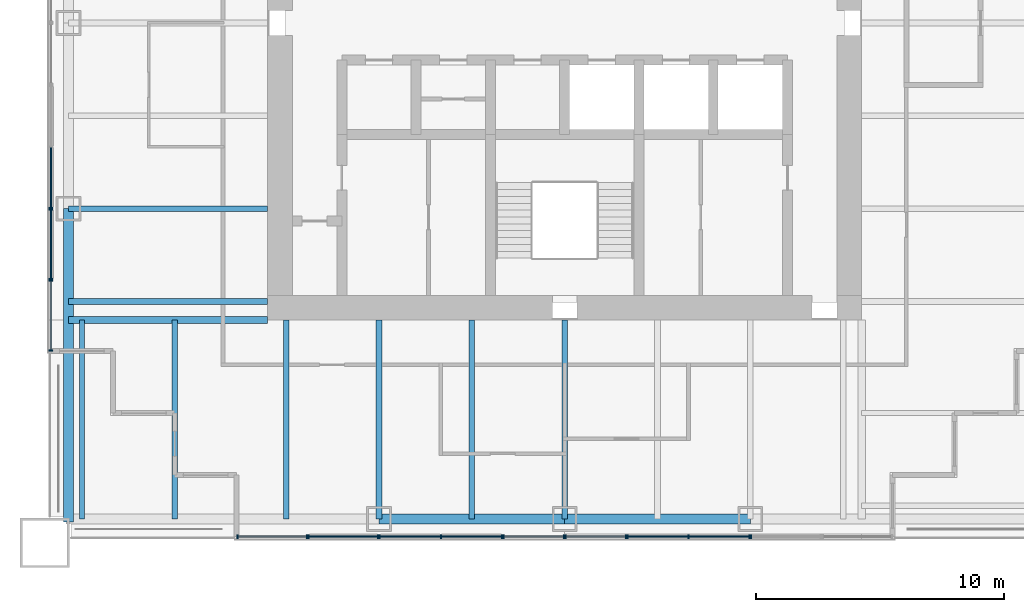
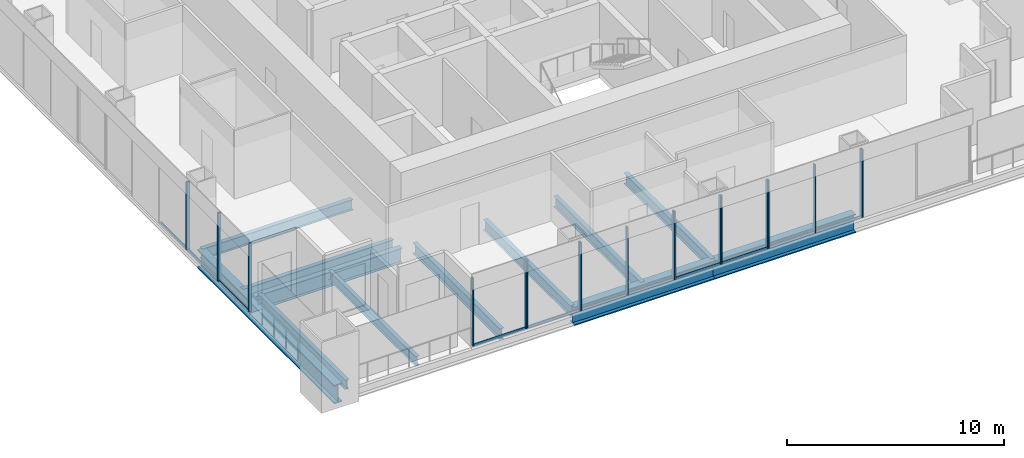
# One storey, part 2 of 14: 31 members, 12 beams, 10 elements without a shape of their own.
"""IFC4 building model written with IfcOpenShell, lengths in metres."""

from ifc_helpers import new_model, si_unit, direction, frame, origin, origin_2d, place, context, subcontext, project, spatial, rectangle, i_section, extrude, material, material_profile, profile_set, type_object, element, aggregate, save


model = new_model("IFC4")

# Units and contexts
model_context = context("Model", 3, precision=1e-05, world=origin(), true_north=direction((0.0, 1.0)))
body_context = subcontext(model_context, "Body", "Model", "MODEL_VIEW")
ifc_project = project(units=[si_unit("LENGTHUNIT", "METRE"), si_unit("AREAUNIT", "SQUARE_METRE"), si_unit("VOLUMEUNIT", "CUBIC_METRE"), si_unit("PLANEANGLEUNIT", "RADIAN"), si_unit("MASSUNIT", "GRAM", prefix="KILO")], contexts=[model_context])

# Site, building, storey
site_placement = place(None, origin())
site = spatial("IfcSite", under=ifc_project, at=site_placement, CompositionType="ELEMENT")
building_placement = place(site_placement, origin())
building = spatial("IfcBuilding", under=site, at=building_placement, Name="Tarangal Relay Tower", CompositionType="ELEMENT")
storey_placement = place(building_placement, frame((0.0, 0.0, 271.89990234375)))
storey = spatial("IfcBuildingStorey", under=building, at=storey_placement, Name="L59", CompositionType="ELEMENT", Elevation=271.89990234375)

# Beams
ifc_material_1 = material(Name="Steel ASTM A992", Category="steel")
ifc_material_profile_1 = material_profile(ifc_material_1, i_section(OverallWidth=0.209228515625, OverallDepth=0.533447265625, WebThickness=0.01025390625, FlangeThickness=0.015625, at=origin_2d()), Name="W21X62")
ifc_profile_set_1 = profile_set([ifc_material_profile_1], Name="Steel ASTM A992")
beam_type_1 = type_object("IfcBeamType", Name="Corner beam W21X62", PredefinedType="JOIST", material=ifc_profile_set_1)
for number, where, z_axis, x_axis, name in (
    (1, (-15.75, -12.0, -0.41650390625), (0.0, -1.0, 0.0), (1.0, 0.0, 0.0), "Corner beam CB12 S L59"),
    (2, (-19.5, -12.0, -0.41650390625), (0.0, -1.0, 0.0), (1.0, 0.0, 0.0), "Corner beam CB12 S L59"),
):
    element("IfcBeam", number, at=place(storey_placement, frame(where, z_axis=z_axis, x_axis=x_axis)), inside=storey, type_object=beam_type_1, Name=name, PredefinedType="JOIST", context=body_context, shape_type="SweptSolid", body=[
        extrude(i_section(OverallWidth=0.209228515625, OverallDepth=0.533447265625, WebThickness=0.01025390625, FlangeThickness=0.015625, at=origin_2d()), origin(), (0.0, 0.0, 1.0), 8.0400390625),
    ])
ifc_material_profile_2 = material_profile(ifc_material_1, i_section(OverallWidth=0.2919921875, OverallDepth=0.8408203125, WebThickness=0.0146484375, FlangeThickness=0.021728515625, at=origin_2d()), Name="W33X130")
ifc_profile_set_2 = profile_set([ifc_material_profile_2], Name="Steel ASTM A992")
beam_type_2 = type_object("IfcBeamType", Name="Corner girder W33X130", PredefinedType="BEAM", material=ifc_profile_set_2)
beam_1_placement = place(storey_placement, frame((-12.0, -12.0, -0.5703125), z_axis=(-1.0, 0.0, 0.0), x_axis=(0.0, -1.0, 0.0)))
element("IfcBeam", 3, at=beam_1_placement, inside=storey, type_object=beam_type_2, Name="Corner girder CG5 S L59", PredefinedType="BEAM", context=body_context, shape_type="SweptSolid", body=[
    extrude(i_section(OverallWidth=0.2919921875, OverallDepth=0.8408203125, WebThickness=0.0146484375, FlangeThickness=0.021728515625, at=origin_2d()), origin(), (0.0, 0.0, 1.0), 8.0400390625),
])
ifc_material_profile_3 = material_profile(ifc_material_1, i_section(OverallWidth=0.41162109375, OverallDepth=1.049072265625, WebThickness=0.033935546875, FlangeThickness=0.059814453125, at=origin_2d()), Name="W40X431")
ifc_profile_set_3 = profile_set([ifc_material_profile_3], Name="Steel ASTM A992")
beam_type_3 = type_object("IfcBeamType", Name="Edge girder W40X431", PredefinedType="SPANDREL", material=ifc_profile_set_3)
for number, where, z_axis, x_axis, name in (
    (4, (7.5, -20.0400390625, -0.67431640625), (-1.0, 0.0, 0.0), (0.0, -1.0, 0.0), "Edge girder EG1 S L59"),
    (5, (0.0, -20.0400390625, -0.67431640625), (-1.0, 0.0, 0.0), (0.0, -1.0, 0.0), "Edge girder EG1 S L59"),
):
    element("IfcBeam", number, at=place(storey_placement, frame(where, z_axis=z_axis, x_axis=x_axis)), inside=storey, type_object=beam_type_3, Name=name, PredefinedType="SPANDREL", context=body_context, shape_type="SweptSolid", body=[
        extrude(i_section(OverallWidth=0.41162109375, OverallDepth=1.049072265625, WebThickness=0.033935546875, FlangeThickness=0.059814453125, at=origin_2d()), origin(), (0.0, 0.0, 1.0), 7.5),
    ])
beam_2_placement = place(storey_placement, frame((-20.0400390625, -20.14990234375, -0.67431640625), z_axis=(0.0, 1.0, 0.0), x_axis=(-1.0, 0.0, 0.0)))
element("IfcBeam", 6, at=beam_2_placement, inside=storey, type_object=beam_type_3, Name="Edge girder EG1 W L59", PredefinedType="SPANDREL", context=body_context, shape_type="SweptSolid", body=[
    extrude(i_section(OverallWidth=0.41162109375, OverallDepth=1.049072265625, WebThickness=0.033935546875, FlangeThickness=0.059814453125, at=origin_2d()), origin(), (0.0, 0.0, 1.0), 12.64990234375),
])
ifc_material_profile_4 = material_profile(ifc_material_1, i_section(OverallWidth=0.228271484375, OverallDepth=0.607177734375, WebThickness=0.01123046875, FlangeThickness=0.017333984375, at=origin_2d()), Name="W24X76")
ifc_profile_set_4 = profile_set([ifc_material_profile_4], Name="Steel ASTM A992")
beam_type_4 = type_object("IfcBeamType", Name="Floor beam W24X76", PredefinedType="BEAM", material=ifc_profile_set_4)
for number, where, z_axis, x_axis, name in (
    (7, (0.0, -12.0, -0.453369140625), (0.0, -1.0, 0.0), (1.0, 0.0, 0.0), "Floor beam RB5 S L59"),
    (8, (-3.75, -12.0, -0.453369140625), (0.0, -1.0, 0.0), (1.0, 0.0, 0.0), "Floor beam RB5 S L59"),
    (9, (-7.5, -12.0, -0.453369140625), (0.0, -1.0, 0.0), (1.0, 0.0, 0.0), "Floor beam RB5 S L59"),
    (10, (-11.25, -12.0, -0.453369140625), (0.0, -1.0, 0.0), (1.0, 0.0, 0.0), "Floor beam RB5 S L59"),
    (11, (-12.0, -11.25, -0.453369140625), (-1.0, 0.0, 0.0), (0.0, -1.0, 0.0), "Floor beam RB5 W L59"),
    (12, (-12.0, -7.5, -0.453369140625), (-1.0, 0.0, 0.0), (0.0, -1.0, 0.0), "Floor beam RB5 W L59"),
):
    element("IfcBeam", number, at=place(storey_placement, frame(where, z_axis=z_axis, x_axis=x_axis)), inside=storey, type_object=beam_type_4, Name=name, PredefinedType="BEAM", context=body_context, shape_type="SweptSolid", body=[
        extrude(i_section(OverallWidth=0.228271484375, OverallDepth=0.607177734375, WebThickness=0.01123046875, FlangeThickness=0.017333984375, at=origin_2d()), origin(), (0.0, 0.0, 1.0), 8.0400390625),
    ])

# Curtain wall, members
ifc_material_2 = material(Name="Unitised curtain wall, dark glass and black aluminium", Category="aluminium")
curtain_wall_type_1 = type_object("IfcCurtainWallType", Name="Curtain wall CW-B", PredefinedType="USERDEFINED", material=ifc_material_2)
curtain_wall_1_placement = place(storey_placement, origin())
curtain_wall_1 = element("IfcCurtainWall", 13, at=curtain_wall_1_placement, inside=storey, type_object=curtain_wall_type_1, Name="Curtain wall CW-B S facade L59", ObjectType="UNITISED CURTAIN WALL", PredefinedType="USERDEFINED")
ifc_material_3 = material(Name="Black anodised aluminium mullion", Category="aluminium")
ifc_material_profile_5 = material_profile(ifc_material_3, rectangle(XDim=0.159912109375, YDim=0.06005859375, at=origin_2d()), Name="CW-BM 60X160")
ifc_profile_set_5 = profile_set([ifc_material_profile_5], Name="Black anodised aluminium mullion")
member_type_1 = type_object("IfcMemberType", Name="Mullion CW-B 60 x 160", PredefinedType="MULLION", material=ifc_profile_set_5)
member_1_placement = place(storey_placement, frame((2.469970703125, -20.75, 0.0), z_axis=(0.0, 0.0, 1.0), x_axis=(0.0, -1.0, 0.0)))
member_1 = element("IfcMember", 14, at=member_1_placement, type_object=member_type_1, Name="CW-B mullion 1", PredefinedType="MULLION", context=body_context, shape_type="SweptSolid", body=[
    extrude(rectangle(XDim=0.159912109375, YDim=0.06005859375, at=origin_2d()), origin(), (0.0, 0.0, 1.0), 3.85009765625),
])
member_2_placement = place(storey_placement, frame((0.030029296875, -20.75, 0.0), z_axis=(0.0, 0.0, 1.0), x_axis=(0.0, -1.0, 0.0)))
member_2 = element("IfcMember", 15, at=member_2_placement, type_object=member_type_1, Name="CW-B mullion 2", PredefinedType="MULLION", context=body_context, shape_type="SweptSolid", body=[
    extrude(rectangle(XDim=0.159912109375, YDim=0.06005859375, at=origin_2d()), origin(), (0.0, 0.0, 1.0), 3.85009765625),
])

curtain_wall_2_placement = place(storey_placement, origin())
curtain_wall_2 = element("IfcCurtainWall", 16, at=curtain_wall_2_placement, inside=storey, type_object=curtain_wall_type_1, Name="Curtain wall CW-B S facade L59", ObjectType="UNITISED CURTAIN WALL", PredefinedType="USERDEFINED")
member_3_placement = place(storey_placement, frame((-0.030029296875, -20.75, 0.0), z_axis=(0.0, 0.0, 1.0), x_axis=(0.0, -1.0, 0.0)))
member_3 = element("IfcMember", 17, at=member_3_placement, type_object=member_type_1, Name="CW-B mullion 1", PredefinedType="MULLION", context=body_context, shape_type="SweptSolid", body=[
    extrude(rectangle(XDim=0.159912109375, YDim=0.06005859375, at=origin_2d()), origin(), (0.0, 0.0, 1.0), 3.85009765625),
])
member_4_placement = place(storey_placement, frame((-2.469970703125, -20.75, 0.0), z_axis=(0.0, 0.0, 1.0), x_axis=(0.0, -1.0, 0.0)))
member_4 = element("IfcMember", 18, at=member_4_placement, type_object=member_type_1, Name="CW-B mullion 2", PredefinedType="MULLION", context=body_context, shape_type="SweptSolid", body=[
    extrude(rectangle(XDim=0.159912109375, YDim=0.06005859375, at=origin_2d()), origin(), (0.0, 0.0, 1.0), 3.85009765625),
])

curtain_wall_3_placement = place(storey_placement, origin())
curtain_wall_3 = element("IfcCurtainWall", 19, at=curtain_wall_3_placement, inside=storey, type_object=curtain_wall_type_1, Name="Curtain wall CW-B S facade L59", ObjectType="UNITISED CURTAIN WALL", PredefinedType="USERDEFINED")
member_5_placement = place(storey_placement, frame((-10.405029296875, -20.75, 0.0), z_axis=(0.0, 0.0, 1.0), x_axis=(0.0, -1.0, 0.0)))
member_5 = element("IfcMember", 20, at=member_5_placement, type_object=member_type_1, Name="CW-B mullion 1", PredefinedType="MULLION", context=body_context, shape_type="SweptSolid", body=[
    extrude(rectangle(XDim=0.159912109375, YDim=0.06005859375, at=origin_2d()), origin(), (0.0, 0.0, 1.0), 3.85009765625),
])
member_6_placement = place(storey_placement, frame((-13.219970703125, -20.75, 0.0), z_axis=(0.0, 0.0, 1.0), x_axis=(0.0, -1.0, 0.0)))
member_6 = element("IfcMember", 21, at=member_6_placement, type_object=member_type_1, Name="CW-B mullion 2", PredefinedType="MULLION", context=body_context, shape_type="SweptSolid", body=[
    extrude(rectangle(XDim=0.159912109375, YDim=0.06005859375, at=origin_2d()), origin(), (0.0, 0.0, 1.0), 3.85009765625),
])

curtain_wall_4_placement = place(storey_placement, origin())
curtain_wall_4 = element("IfcCurtainWall", 22, at=curtain_wall_4_placement, inside=storey, type_object=curtain_wall_type_1, Name="Curtain wall CW-B W facade L59", ObjectType="UNITISED CURTAIN WALL", PredefinedType="USERDEFINED")
member_7_placement = place(storey_placement, frame((-20.75, -13.219970703125, 0.0), z_axis=(0.0, 0.0, 1.0), x_axis=(-1.0, 0.0, 0.0)))
member_7 = element("IfcMember", 23, at=member_7_placement, type_object=member_type_1, Name="CW-B mullion 1", PredefinedType="MULLION", context=body_context, shape_type="SweptSolid", body=[
    extrude(rectangle(XDim=0.159912109375, YDim=0.06005859375, at=origin_2d()), origin(), (0.0, 0.0, 1.0), 3.85009765625),
])
member_8_placement = place(storey_placement, frame((-20.75, -10.405029296875, 0.0), z_axis=(0.0, 0.0, 1.0), x_axis=(-1.0, 0.0, 0.0)))
member_8 = element("IfcMember", 24, at=member_8_placement, type_object=member_type_1, Name="CW-B mullion 2", PredefinedType="MULLION", context=body_context, shape_type="SweptSolid", body=[
    extrude(rectangle(XDim=0.159912109375, YDim=0.06005859375, at=origin_2d()), origin(), (0.0, 0.0, 1.0), 3.85009765625),
])

# Curtain wall, member
ifc_material_4 = material(Name="Unitised curtain wall frame, black aluminium, with metal clad infill walls", Category="aluminium")
curtain_wall_type_2 = type_object("IfcCurtainWallType", Name="Curtain wall CW-BO", PredefinedType="USERDEFINED", material=ifc_material_4)
curtain_wall_5_placement = place(storey_placement, origin())
curtain_wall_5 = element("IfcCurtainWall", 25, at=curtain_wall_5_placement, inside=storey, type_object=curtain_wall_type_2, Name="Curtain wall CW-BO S facade L59", ObjectType="UNITISED CURTAIN WALL", PredefinedType="USERDEFINED")
ifc_material_profile_6 = material_profile(ifc_material_3, rectangle(XDim=0.159912109375, YDim=0.06005859375, at=origin_2d()), Name="CW-BOM 60X160")
ifc_profile_set_6 = profile_set([ifc_material_profile_6], Name="Black anodised aluminium mullion")
member_type_2 = type_object("IfcMemberType", Name="Mullion CW-BO 60 x 160", PredefinedType="MULLION", material=ifc_profile_set_6)
member_9_placement = place(storey_placement, frame((7.530029296875, -20.75, 0.0), z_axis=(0.0, 0.0, 1.0), x_axis=(0.0, -1.0, 0.0)))
member_9 = element("IfcMember", 26, at=member_9_placement, type_object=member_type_2, Name="CW-BO mullion 2", PredefinedType="MULLION", context=body_context, shape_type="SweptSolid", body=[
    extrude(rectangle(XDim=0.159912109375, YDim=0.06005859375, at=origin_2d()), origin(), (0.0, 0.0, 1.0), 3.85009765625),
])
aggregate(curtain_wall_5, [member_9])

# Curtain wall, members
curtain_wall_6_placement = place(storey_placement, origin())
curtain_wall_6 = element("IfcCurtainWall", 27, at=curtain_wall_6_placement, inside=storey, type_object=curtain_wall_type_2, Name="Curtain wall CW-BO S facade L59", ObjectType="UNITISED CURTAIN WALL", PredefinedType="USERDEFINED")
member_10_placement = place(storey_placement, frame((7.469970703125, -20.75, 0.0), z_axis=(0.0, 0.0, 1.0), x_axis=(0.0, -1.0, 0.0)))
member_10 = element("IfcMember", 28, at=member_10_placement, type_object=member_type_2, Name="CW-BO mullion 1", PredefinedType="MULLION", context=body_context, shape_type="SweptSolid", body=[
    extrude(rectangle(XDim=0.159912109375, YDim=0.06005859375, at=origin_2d()), origin(), (0.0, 0.0, 1.0), 3.85009765625),
])
member_11_placement = place(storey_placement, frame((5.0, -20.75, 0.0), z_axis=(0.0, 0.0, 1.0), x_axis=(0.0, -1.0, 0.0)))
member_11 = element("IfcMember", 29, at=member_11_placement, type_object=member_type_2, Name="CW-BO mullion 2", PredefinedType="MULLION", context=body_context, shape_type="SweptSolid", body=[
    extrude(rectangle(XDim=0.159912109375, YDim=0.06005859375, at=origin_2d()), origin(), (0.0, 0.0, 1.0), 3.85009765625),
])
member_12_placement = place(storey_placement, frame((2.530029296875, -20.75, 0.0), z_axis=(0.0, 0.0, 1.0), x_axis=(0.0, -1.0, 0.0)))
member_12 = element("IfcMember", 30, at=member_12_placement, type_object=member_type_2, Name="CW-BO mullion 3", PredefinedType="MULLION", context=body_context, shape_type="SweptSolid", body=[
    extrude(rectangle(XDim=0.159912109375, YDim=0.06005859375, at=origin_2d()), origin(), (0.0, 0.0, 1.0), 3.85009765625),
])

curtain_wall_7_placement = place(storey_placement, origin())
curtain_wall_7 = element("IfcCurtainWall", 31, at=curtain_wall_7_placement, inside=storey, type_object=curtain_wall_type_2, Name="Curtain wall CW-BO S facade L59", ObjectType="UNITISED CURTAIN WALL", PredefinedType="USERDEFINED")
member_13_placement = place(storey_placement, frame((-2.530029296875, -20.75, 0.0), z_axis=(0.0, 0.0, 1.0), x_axis=(0.0, -1.0, 0.0)))
member_13 = element("IfcMember", 32, at=member_13_placement, type_object=member_type_2, Name="CW-BO mullion 1", PredefinedType="MULLION", context=body_context, shape_type="SweptSolid", body=[
    extrude(rectangle(XDim=0.159912109375, YDim=0.06005859375, at=origin_2d()), origin(), (0.0, 0.0, 1.0), 3.85009765625),
])
member_14_placement = place(storey_placement, frame((-5.0, -20.75, 0.0), z_axis=(0.0, 0.0, 1.0), x_axis=(0.0, -1.0, 0.0)))
member_14 = element("IfcMember", 33, at=member_14_placement, type_object=member_type_2, Name="CW-BO mullion 2", PredefinedType="MULLION", context=body_context, shape_type="SweptSolid", body=[
    extrude(rectangle(XDim=0.159912109375, YDim=0.06005859375, at=origin_2d()), origin(), (0.0, 0.0, 1.0), 3.85009765625),
])
member_15_placement = place(storey_placement, frame((-7.469970703125, -20.75, 0.0), z_axis=(0.0, 0.0, 1.0), x_axis=(0.0, -1.0, 0.0)))
member_15 = element("IfcMember", 34, at=member_15_placement, type_object=member_type_2, Name="CW-BO mullion 3", PredefinedType="MULLION", context=body_context, shape_type="SweptSolid", body=[
    extrude(rectangle(XDim=0.159912109375, YDim=0.06005859375, at=origin_2d()), origin(), (0.0, 0.0, 1.0), 3.85009765625),
])

curtain_wall_8_placement = place(storey_placement, origin())
curtain_wall_8 = element("IfcCurtainWall", 35, at=curtain_wall_8_placement, inside=storey, type_object=curtain_wall_type_2, Name="Curtain wall CW-BO S facade L59", ObjectType="UNITISED CURTAIN WALL", PredefinedType="USERDEFINED")
member_16_placement = place(storey_placement, frame((-7.530029296875, -20.75, 0.0), z_axis=(0.0, 0.0, 1.0), x_axis=(0.0, -1.0, 0.0)))
member_16 = element("IfcMember", 36, at=member_16_placement, type_object=member_type_2, Name="CW-BO mullion 1", PredefinedType="MULLION", context=body_context, shape_type="SweptSolid", body=[
    extrude(rectangle(XDim=0.159912109375, YDim=0.06005859375, at=origin_2d()), origin(), (0.0, 0.0, 1.0), 3.85009765625),
])
member_17_placement = place(storey_placement, frame((-10.344970703125, -20.75, 0.0), z_axis=(0.0, 0.0, 1.0), x_axis=(0.0, -1.0, 0.0)))
member_17 = element("IfcMember", 37, at=member_17_placement, type_object=member_type_2, Name="CW-BO mullion 2", PredefinedType="MULLION", context=body_context, shape_type="SweptSolid", body=[
    extrude(rectangle(XDim=0.159912109375, YDim=0.06005859375, at=origin_2d()), origin(), (0.0, 0.0, 1.0), 3.85009765625),
])

curtain_wall_9_placement = place(storey_placement, origin())
curtain_wall_9 = element("IfcCurtainWall", 38, at=curtain_wall_9_placement, inside=storey, type_object=curtain_wall_type_2, Name="Curtain wall CW-BO W facade L59", ObjectType="UNITISED CURTAIN WALL", PredefinedType="USERDEFINED")
member_18_placement = place(storey_placement, frame((-20.75, -10.344970703125, 0.0), z_axis=(0.0, 0.0, 1.0), x_axis=(-1.0, 0.0, 0.0)))
member_18 = element("IfcMember", 39, at=member_18_placement, type_object=member_type_2, Name="CW-BO mullion 1", PredefinedType="MULLION", context=body_context, shape_type="SweptSolid", body=[
    extrude(rectangle(XDim=0.159912109375, YDim=0.06005859375, at=origin_2d()), origin(), (0.0, 0.0, 1.0), 3.85009765625),
])
member_19_placement = place(storey_placement, frame((-20.75, -7.530029296875, 0.0), z_axis=(0.0, 0.0, 1.0), x_axis=(-1.0, 0.0, 0.0)))
member_19 = element("IfcMember", 40, at=member_19_placement, type_object=member_type_2, Name="CW-BO mullion 2", PredefinedType="MULLION", context=body_context, shape_type="SweptSolid", body=[
    extrude(rectangle(XDim=0.159912109375, YDim=0.06005859375, at=origin_2d()), origin(), (0.0, 0.0, 1.0), 3.85009765625),
])

# Curtain wall, member
curtain_wall_10_placement = place(storey_placement, origin())
curtain_wall_10 = element("IfcCurtainWall", 41, at=curtain_wall_10_placement, inside=storey, type_object=curtain_wall_type_2, Name="Curtain wall CW-BO W facade L59", ObjectType="UNITISED CURTAIN WALL", PredefinedType="USERDEFINED")
member_20_placement = place(storey_placement, frame((-20.75, -7.469970703125, 0.0), z_axis=(0.0, 0.0, 1.0), x_axis=(-1.0, 0.0, 0.0)))
member_20 = element("IfcMember", 42, at=member_20_placement, type_object=member_type_2, Name="CW-BO mullion 1", PredefinedType="MULLION", context=body_context, shape_type="SweptSolid", body=[
    extrude(rectangle(XDim=0.159912109375, YDim=0.06005859375, at=origin_2d()), origin(), (0.0, 0.0, 1.0), 3.85009765625),
])

# Member
ifc_material_5 = material(Name="Black anodised aluminium transom", Category="aluminium")
ifc_material_profile_7 = material_profile(ifc_material_5, rectangle(XDim=0.06005859375, YDim=0.1298828125, at=origin_2d()), Name="CW-BT 60X130")
ifc_profile_set_7 = profile_set([ifc_material_profile_7], Name="Black anodised aluminium transom")
member_type_3 = type_object("IfcMemberType", Name="Transom CW-B 60 x 130", PredefinedType="USERDEFINED", material=ifc_profile_set_7)
member_21_placement = place(storey_placement, frame((2.43994140625, -20.75, 0.030029296875), z_axis=(-1.0, 0.0, 0.0), x_axis=(0.0, -1.0, 0.0)))
member_21 = element("IfcMember", 43, at=member_21_placement, type_object=member_type_3, Name="CW-B transom 1.1", ObjectType="TRANSOM", PredefinedType="USERDEFINED", context=body_context, shape_type="SweptSolid", body=[
    extrude(rectangle(XDim=0.06005859375, YDim=0.1298828125, at=origin_2d()), origin(), (0.0, 0.0, 1.0), 2.3798828125),
])

aggregate(curtain_wall_1, [member_1, member_2, member_21])

member_22_placement = place(storey_placement, frame((-0.06005859375, -20.75, 0.030029296875), z_axis=(-1.0, 0.0, 0.0), x_axis=(0.0, -1.0, 0.0)))
member_22 = element("IfcMember", 44, at=member_22_placement, type_object=member_type_3, Name="CW-B transom 1.1", ObjectType="TRANSOM", PredefinedType="USERDEFINED", context=body_context, shape_type="SweptSolid", body=[
    extrude(rectangle(XDim=0.06005859375, YDim=0.1298828125, at=origin_2d()), origin(), (0.0, 0.0, 1.0), 2.3798828125),
])

aggregate(curtain_wall_2, [member_3, member_4, member_22])

member_23_placement = place(storey_placement, frame((-10.43505859375, -20.75, 0.030029296875), z_axis=(-1.0, 0.0, 0.0), x_axis=(0.0, -1.0, 0.0)))
member_23 = element("IfcMember", 45, at=member_23_placement, type_object=member_type_3, Name="CW-B transom 1.1", ObjectType="TRANSOM", PredefinedType="USERDEFINED", context=body_context, shape_type="SweptSolid", body=[
    extrude(rectangle(XDim=0.06005859375, YDim=0.1298828125, at=origin_2d()), origin(), (0.0, 0.0, 1.0), 2.7548828125),
])

aggregate(curtain_wall_3, [member_5, member_6, member_23])

member_24_placement = place(storey_placement, frame((-20.75, -13.18994140625, 0.030029296875), z_axis=(0.0, 1.0, 0.0), x_axis=(-1.0, 0.0, 0.0)))
member_24 = element("IfcMember", 46, at=member_24_placement, type_object=member_type_3, Name="CW-B transom 1.1", ObjectType="TRANSOM", PredefinedType="USERDEFINED", context=body_context, shape_type="SweptSolid", body=[
    extrude(rectangle(XDim=0.06005859375, YDim=0.1298828125, at=origin_2d()), origin(), (0.0, 0.0, 1.0), 2.7548828125),
])

aggregate(curtain_wall_4, [member_7, member_8, member_24])

ifc_material_profile_8 = material_profile(ifc_material_5, rectangle(XDim=0.06005859375, YDim=0.1298828125, at=origin_2d()), Name="CW-BOT 60X130")
ifc_profile_set_8 = profile_set([ifc_material_profile_8], Name="Black anodised aluminium transom")
member_type_4 = type_object("IfcMemberType", Name="Transom CW-BO 60 x 130", PredefinedType="USERDEFINED", material=ifc_profile_set_8)
member_25_placement = place(storey_placement, frame((7.43994140625, -20.75, 0.030029296875), z_axis=(-1.0, 0.0, 0.0), x_axis=(0.0, -1.0, 0.0)))
member_25 = element("IfcMember", 47, at=member_25_placement, type_object=member_type_4, Name="CW-BO transom 1.1", ObjectType="TRANSOM", PredefinedType="USERDEFINED", context=body_context, shape_type="SweptSolid", body=[
    extrude(rectangle(XDim=0.06005859375, YDim=0.1298828125, at=origin_2d()), origin(), (0.0, 0.0, 1.0), 2.409912109375),
])

member_26_placement = place(storey_placement, frame((4.969970703125, -20.75, 0.030029296875), z_axis=(-1.0, 0.0, 0.0), x_axis=(0.0, -1.0, 0.0)))
member_26 = element("IfcMember", 48, at=member_26_placement, type_object=member_type_4, Name="CW-BO transom 2.1", ObjectType="TRANSOM", PredefinedType="USERDEFINED", context=body_context, shape_type="SweptSolid", body=[
    extrude(rectangle(XDim=0.06005859375, YDim=0.1298828125, at=origin_2d()), origin(), (0.0, 0.0, 1.0), 2.409912109375),
])

aggregate(curtain_wall_6, [member_10, member_11, member_12, member_25, member_26])

member_27_placement = place(storey_placement, frame((-2.56005859375, -20.75, 0.030029296875), z_axis=(-1.0, 0.0, 0.0), x_axis=(0.0, -1.0, 0.0)))
member_27 = element("IfcMember", 49, at=member_27_placement, type_object=member_type_4, Name="CW-BO transom 1.1", ObjectType="TRANSOM", PredefinedType="USERDEFINED", context=body_context, shape_type="SweptSolid", body=[
    extrude(rectangle(XDim=0.06005859375, YDim=0.1298828125, at=origin_2d()), origin(), (0.0, 0.0, 1.0), 2.409912109375),
])

member_28_placement = place(storey_placement, frame((-5.030029296875, -20.75, 0.030029296875), z_axis=(-1.0, 0.0, 0.0), x_axis=(0.0, -1.0, 0.0)))
member_28 = element("IfcMember", 50, at=member_28_placement, type_object=member_type_4, Name="CW-BO transom 2.1", ObjectType="TRANSOM", PredefinedType="USERDEFINED", context=body_context, shape_type="SweptSolid", body=[
    extrude(rectangle(XDim=0.06005859375, YDim=0.1298828125, at=origin_2d()), origin(), (0.0, 0.0, 1.0), 2.409912109375),
])

aggregate(curtain_wall_7, [member_13, member_14, member_15, member_27, member_28])

member_29_placement = place(storey_placement, frame((-7.56005859375, -20.75, 0.030029296875), z_axis=(-1.0, 0.0, 0.0), x_axis=(0.0, -1.0, 0.0)))
member_29 = element("IfcMember", 51, at=member_29_placement, type_object=member_type_4, Name="CW-BO transom 1.1", ObjectType="TRANSOM", PredefinedType="USERDEFINED", context=body_context, shape_type="SweptSolid", body=[
    extrude(rectangle(XDim=0.06005859375, YDim=0.1298828125, at=origin_2d()), origin(), (0.0, 0.0, 1.0), 2.7548828125),
])

aggregate(curtain_wall_8, [member_16, member_17, member_29])

member_30_placement = place(storey_placement, frame((-20.75, -10.31494140625, 0.030029296875), z_axis=(0.0, 1.0, 0.0), x_axis=(-1.0, 0.0, 0.0)))
member_30 = element("IfcMember", 52, at=member_30_placement, type_object=member_type_4, Name="CW-BO transom 1.1", ObjectType="TRANSOM", PredefinedType="USERDEFINED", context=body_context, shape_type="SweptSolid", body=[
    extrude(rectangle(XDim=0.06005859375, YDim=0.1298828125, at=origin_2d()), origin(), (0.0, 0.0, 1.0), 2.7548828125),
])

aggregate(curtain_wall_9, [member_18, member_19, member_30])

member_31_placement = place(storey_placement, frame((-20.75, -7.43994140625, 0.030029296875), z_axis=(0.0, 1.0, 0.0), x_axis=(-1.0, 0.0, 0.0)))
member_31 = element("IfcMember", 53, at=member_31_placement, type_object=member_type_4, Name="CW-BO transom 1.1", ObjectType="TRANSOM", PredefinedType="USERDEFINED", context=body_context, shape_type="SweptSolid", body=[
    extrude(rectangle(XDim=0.06005859375, YDim=0.1298828125, at=origin_2d()), origin(), (0.0, 0.0, 1.0), 2.409912109375),
])

aggregate(curtain_wall_10, [member_20, member_31])

save(model, "model.ifc")
